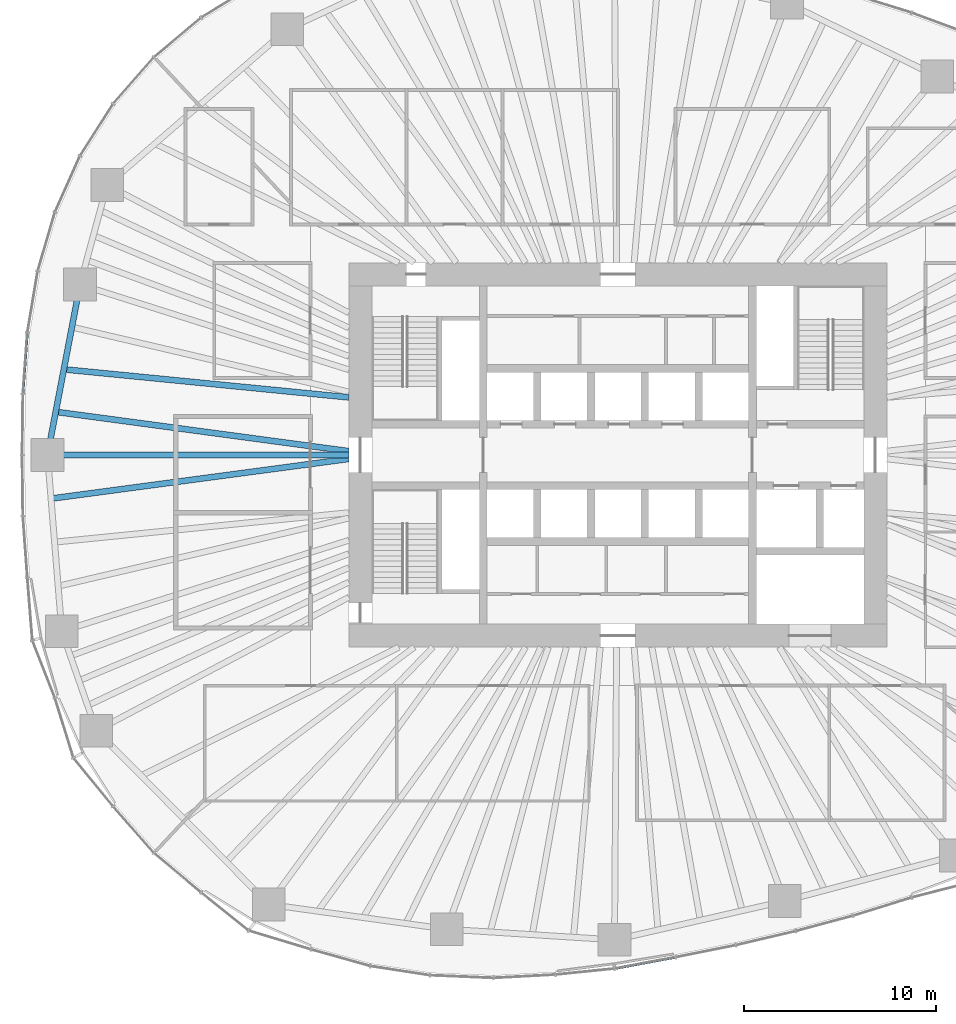
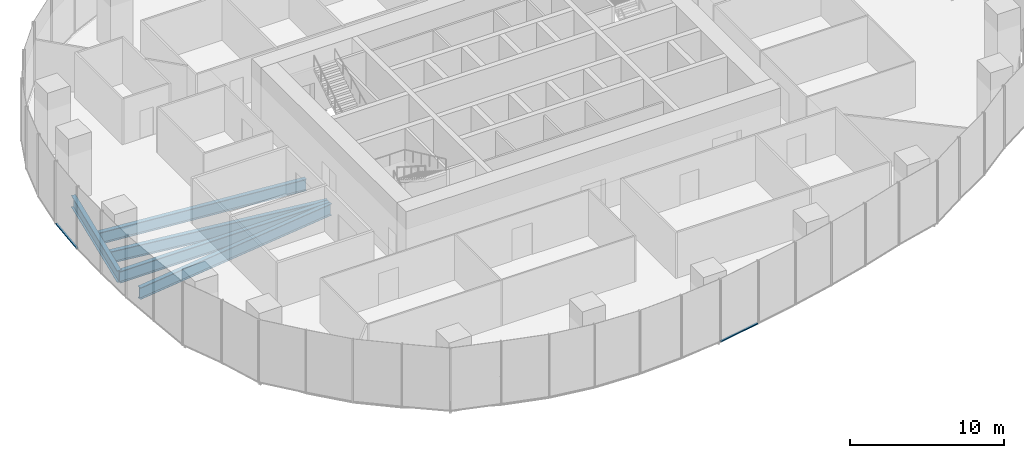
# One storey, part 3 of 20: 5 beams, 2 members, 2 elements without a shape of their own.
"""IFC4 building model written with IfcOpenShell, lengths in metres."""

from ifc_helpers import new_model, si_unit, direction, frame, origin, origin_2d, place, context, subcontext, project, spatial, rectangle, i_section, extrude, material, material_profile, profile_set, type_object, element, aggregate, save


model = new_model("IFC4")

# Units and contexts
model_context = context("Model", 3, precision=1e-05, world=origin(), true_north=direction((0.0, 1.0)))
body_context = subcontext(model_context, "Body", "Model", "MODEL_VIEW")
ifc_project = project(units=[si_unit("LENGTHUNIT", "METRE"), si_unit("AREAUNIT", "SQUARE_METRE"), si_unit("VOLUMEUNIT", "CUBIC_METRE"), si_unit("PLANEANGLEUNIT", "RADIAN"), si_unit("MASSUNIT", "GRAM", prefix="KILO")], contexts=[model_context])

# Site, building, storey
site_placement = place(None, origin())
site = spatial("IfcSite", under=ifc_project, at=site_placement, CompositionType="ELEMENT")
building_placement = place(site_placement, origin())
building = spatial("IfcBuilding", under=site, at=building_placement, Name="Ghaith Harvest Tower", CompositionType="ELEMENT")
storey_placement = place(building_placement, frame((0.0, 0.0, 80.0)))
storey = spatial("IfcBuildingStorey", under=building, at=storey_placement, Name="L16", CompositionType="ELEMENT", Elevation=80.0)

# Curtain wall, member
ifc_material_1 = material(Name="Black anodised aluminium and fritted glass", Category="aluminium")
curtain_wall_type = type_object("IfcCurtainWallType", Name="CW-F CURTAIN WALL", PredefinedType="NOTDEFINED", material=ifc_material_1)
curtain_wall_1_placement = place(storey_placement, origin())
curtain_wall_1 = element("IfcCurtainWall", 1, at=curtain_wall_1_placement, inside=storey, type_object=curtain_wall_type, Name="Curtain wall CW-F bay 10 L16", PredefinedType="NOTDEFINED")
ifc_material_2 = material(Name="Aluminium, black anodised", Category="aluminium")
ifc_material_profile_1 = material_profile(ifc_material_2, rectangle(XDim=0.139892578125, YDim=0.080078125, at=origin_2d()), Name="CW-F TRANSOM 140x80")
ifc_profile_set_1 = profile_set([ifc_material_profile_1], Name="Aluminium, black anodised")
member_type = type_object("IfcMemberType", Name="CW-F TRANSOM 140x80", PredefinedType="USERDEFINED", material=ifc_profile_set_1)
member_1_placement = place(storey_placement, frame((-30.72705078125, 6.335693359375, 0.0400390625), z_axis=(-0.072473547161, -0.997370334912, 0.0), x_axis=(0.997370334912, -0.072473547161, 0.0)))
member_1 = element("IfcMember", 2, at=member_1_placement, type_object=member_type, Name="CW-F transom 2 bay 10 L16", ObjectType="TRANSOM", PredefinedType="USERDEFINED", context=body_context, shape_type="SweptSolid", body=[
    extrude(rectangle(XDim=0.139892578125, YDim=0.080078125, at=origin_2d()), origin(), (0.0, 0.0, 1.0), 3.126220703125),
])
aggregate(curtain_wall_1, [member_1])

curtain_wall_2_placement = place(storey_placement, origin())
curtain_wall_2 = element("IfcCurtainWall", 3, at=curtain_wall_2_placement, inside=storey, type_object=curtain_wall_type, Name="Curtain wall CW-F bay 16 L16", PredefinedType="NOTDEFINED")
member_2_placement = place(storey_placement, frame((-0.1435546875, -26.709716796875, 0.0400390625), z_axis=(0.983139075124, 0.182859396706, 0.0), x_axis=(-0.182859396706, 0.983139075124, 0.0)))
member_2 = element("IfcMember", 4, at=member_2_placement, type_object=member_type, Name="CW-F transom 1 bay 16 L16", ObjectType="TRANSOM", PredefinedType="USERDEFINED", context=body_context, shape_type="SweptSolid", body=[
    extrude(rectangle(XDim=0.139892578125, YDim=0.080078125, at=origin_2d()), origin(), (0.0, 0.0, 1.0), 3.1669921875),
])
aggregate(curtain_wall_2, [member_2])

# Beams
ifc_material_3 = material(Name="Steel ASTM A992 Grade 50", Category="steel")
ifc_material_profile_2 = material_profile(ifc_material_3, i_section(OverallWidth=0.306884765625, OverallDepth=0.94189453125, WebThickness=0.022216796875, FlangeThickness=0.039794921875, at=origin_2d()), Name="W920X345")
ifc_profile_set_2 = profile_set([ifc_material_profile_2], Name="Steel ASTM A992 Grade 50")
beam_type_1 = type_object("IfcBeamType", Name="E920-345 W920X345", PredefinedType="SPANDREL", material=ifc_profile_set_2)
beam_1_placement = place(storey_placement, frame((-27.98291015625, 8.867919921875, -0.6708984375), z_axis=(-0.187433949108, -0.982277208695, 0.0), x_axis=(0.982277208695, -0.187433949108, 0.0)))
element("IfcBeam", 5, at=beam_1_placement, inside=storey, type_object=beam_type_1, Name="Edge beam E10 L16", PredefinedType="SPANDREL", context=body_context, shape_type="SweptSolid", body=[
    extrude(i_section(OverallWidth=0.306884765625, OverallDepth=0.94189453125, WebThickness=0.022216796875, FlangeThickness=0.039794921875, at=origin_2d()), origin(), (0.0, 0.0, 1.0), 9.02783203125),
])
ifc_material_4 = material(Name="Steel ASTM A992 Grade 50", Category="steel")
ifc_material_profile_3 = material_profile(ifc_material_4, i_section(OverallWidth=0.306884765625, OverallDepth=0.94189453125, WebThickness=0.022216796875, FlangeThickness=0.039794921875, at=origin_2d()), Name="W920X345")
ifc_profile_set_3 = profile_set([ifc_material_profile_3], Name="Steel ASTM A992 Grade 50")
beam_type_2 = type_object("IfcBeamType", Name="G920-345 W920X345", PredefinedType="BEAM", material=ifc_profile_set_3)
beam_2_placement = place(storey_placement, frame((-14.0, 0.0, -0.6708984375), z_axis=(-1.0, 0.0, 0.0), x_axis=(0.0, -1.0, 0.0)))
element("IfcBeam", 6, at=beam_2_placement, inside=storey, type_object=beam_type_2, Name="Radial girder G11 L16", PredefinedType="BEAM", context=body_context, shape_type="SweptSolid", body=[
    extrude(i_section(OverallWidth=0.306884765625, OverallDepth=0.94189453125, WebThickness=0.022216796875, FlangeThickness=0.039794921875, at=origin_2d()), origin(), (0.0, 0.0, 1.0), 15.675048828125),
])
ifc_material_5 = material(Name="Steel ASTM A992 Grade 50", Category="steel")
ifc_material_profile_4 = material_profile(ifc_material_5, i_section(OverallWidth=0.31005859375, OverallDepth=0.927001953125, WebThickness=0.019287109375, FlangeThickness=0.031982421875, at=origin_2d()), Name="W920X289")
ifc_profile_set_4 = profile_set([ifc_material_profile_4], Name="Steel ASTM A992 Grade 50")
beam_type_3 = type_object("IfcBeamType", Name="J920-289 W920X289", PredefinedType="JOIST", material=ifc_profile_set_4)
beam_3_placement = place(storey_placement, frame((-14.0, 3.0, -0.66357421875), z_axis=(-0.995196704135, 0.097895454848, 0.0), x_axis=(-0.097895454848, -0.995196704135, 0.0)))
element("IfcBeam", 7, at=beam_3_placement, inside=storey, type_object=beam_type_3, Name="Joist J10.2 L16", PredefinedType="JOIST", context=body_context, shape_type="SweptSolid", body=[
    extrude(i_section(OverallWidth=0.31005859375, OverallDepth=0.927001953125, WebThickness=0.019287109375, FlangeThickness=0.031982421875, at=origin_2d()), origin(), (0.0, 0.0, 1.0), 14.89599609375),
])
beam_4_placement = place(storey_placement, frame((-14.0, 0.199951171875, -0.66357421875), z_axis=(-0.991095171591, 0.133155401128, 0.0), x_axis=(-0.133155401128, -0.991095171591, 0.0)))
element("IfcBeam", 8, at=beam_4_placement, inside=storey, type_object=beam_type_3, Name="Joist J10.3 L16", PredefinedType="JOIST", context=body_context, shape_type="SweptSolid", body=[
    extrude(i_section(OverallWidth=0.31005859375, OverallDepth=0.927001953125, WebThickness=0.019287109375, FlangeThickness=0.031982421875, at=origin_2d()), origin(), (0.0, 0.0, 1.0), 15.383056640625),
])
beam_5_placement = place(storey_placement, frame((-14.0, -0.199951171875, -0.66357421875), z_axis=(-0.991213569042, -0.132271162948, 0.0), x_axis=(0.132271162948, -0.991213569042, 0.0)))
element("IfcBeam", 9, at=beam_5_placement, inside=storey, type_object=beam_type_3, Name="Joist J11.1 L16", PredefinedType="JOIST", context=body_context, shape_type="SweptSolid", body=[
    extrude(i_section(OverallWidth=0.31005859375, OverallDepth=0.927001953125, WebThickness=0.019287109375, FlangeThickness=0.031982421875, at=origin_2d()), origin(), (0.0, 0.0, 1.0), 15.6279296875),
])

save(model, "model.ifc")
